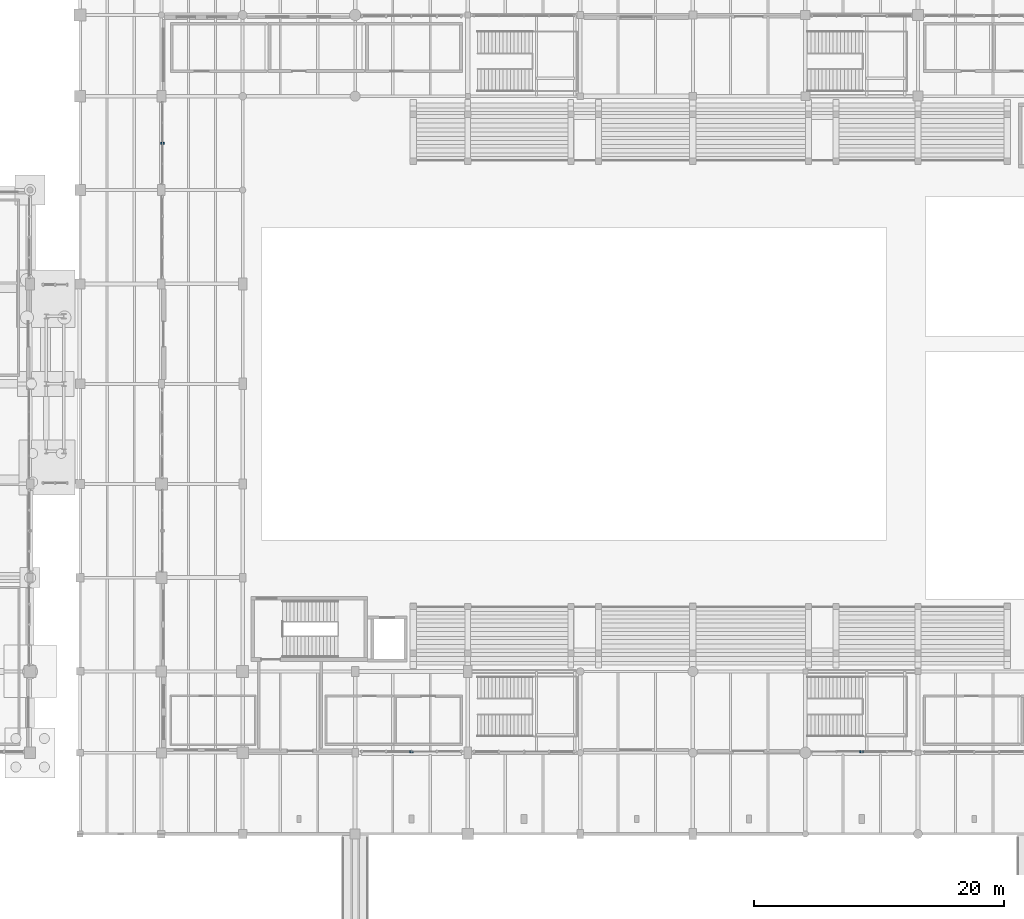
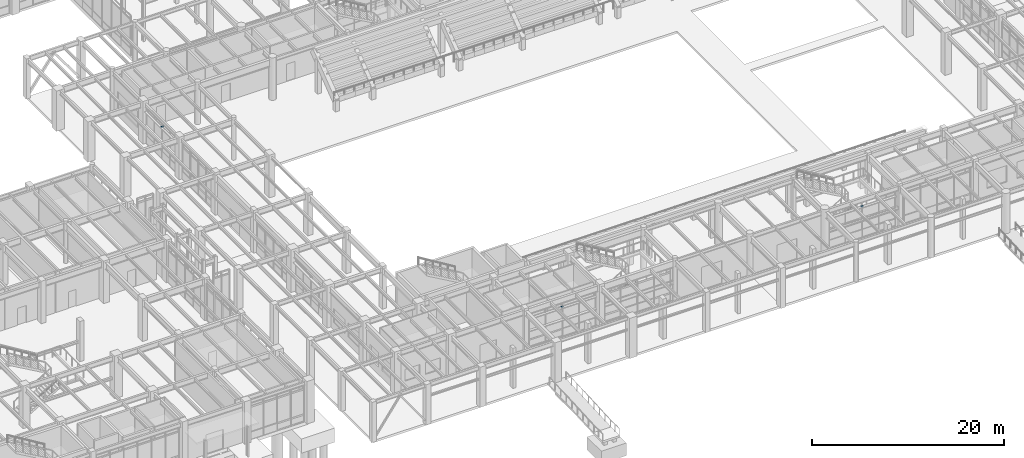
# One storey, part 189 of 203: 3 discrete accessories.
"""IFC4 building model written with IfcOpenShell, lengths in metres."""

from ifc_helpers import new_model, si_unit, direction, frame, origin, origin_2d, place, context, subcontext, project, spatial, rectangle, extrude, material, type_object, element, save


model = new_model("IFC4")

# Units and contexts
model_context = context("Model", 3, precision=1e-05, world=origin(), true_north=direction((0.0, 1.0)))
body_context = subcontext(model_context, "Body", "Model", "MODEL_VIEW")
ifc_project = project(units=[si_unit("LENGTHUNIT", "METRE"), si_unit("AREAUNIT", "SQUARE_METRE"), si_unit("VOLUMEUNIT", "CUBIC_METRE"), si_unit("PLANEANGLEUNIT", "RADIAN"), si_unit("MASSUNIT", "GRAM", prefix="KILO"), si_unit("THERMODYNAMICTEMPERATUREUNIT", "KELVIN"), si_unit("POWERUNIT", "WATT")], contexts=[model_context])

# Site, building, storey
site_placement = place(None, origin())
site = spatial("IfcSite", under=ifc_project, at=site_placement, CompositionType="ELEMENT")
building_placement = place(site_placement, origin())
building = spatial("IfcBuilding", under=site, at=building_placement, Name="Tepalcoro Natatorium and Aquatics Centre", CompositionType="ELEMENT")
storey_placement = place(building_placement, origin())
storey = spatial("IfcBuildingStorey", under=building, at=storey_placement, Name="L00", CompositionType="ELEMENT", Elevation=0.0)

# Discrete accessories
ifc_material_1 = material(Name="Plate Steel ASTM A572 Grade 50 (Fy 345 MPa)", Category="steel")
discrete_accessory_type_1 = type_object("IfcDiscreteAccessoryType", Name="BRK_FACADE_GALV", PredefinedType="BRACKET", material=ifc_material_1)
for number, where, z_axis, x_axis, name in (
    (1, (66.5, 6.574951171875, 3.66015625), (0.0, 0.0, 1.0), (1.0, 0.0, 0.0), "Solar Shading Outrigger Bracket BRK_FACADE_GALV"),
    (2, (102.5, 6.574951171875, 3.8232421875), (0.0, 0.0, 1.0), (1.0, 0.0, 0.0), "Solar Shading Outrigger Bracket BRK_FACADE_GALV"),
):
    element("IfcDiscreteAccessory", number, at=place(storey_placement, frame(where, z_axis=z_axis, x_axis=x_axis)), inside=storey, type_object=discrete_accessory_type_1, Name=name, PredefinedType="BRACKET", context=body_context, shape_type="SweptSolid", body=[
        extrude(rectangle(XDim=0.280029296875, YDim=0.159912109375, at=origin_2d()), origin(), (0.0, 0.0, 1.0), 0.159912109375),
    ])
ifc_material_2 = material(Name="Marine-Grade Brushed Stainless Steel AISI 316L", Category="steel")
discrete_accessory_type_2 = type_object("IfcDiscreteAccessoryType", Name="BRK_SEISMIC_SS", PredefinedType="BRACKET", material=ifc_material_2)
discrete_accessory_placement = place(storey_placement, frame((46.574951171875, 55.25, 3.97314453125), z_axis=(0.0, 0.0, 1.0), x_axis=(1.0, 0.0, 0.0)))
element("IfcDiscreteAccessory", 3, at=discrete_accessory_placement, inside=storey, type_object=discrete_accessory_type_2, Name="Solar Shading Outrigger Bracket BRK_SEISMIC_SS", PredefinedType="BRACKET", context=body_context, shape_type="SweptSolid", body=[
    extrude(rectangle(XDim=0.280029296875, YDim=0.159912109375, at=origin_2d()), origin(), (0.0, 0.0, 1.0), 0.159912109375),
])

save(model, "model.ifc")
